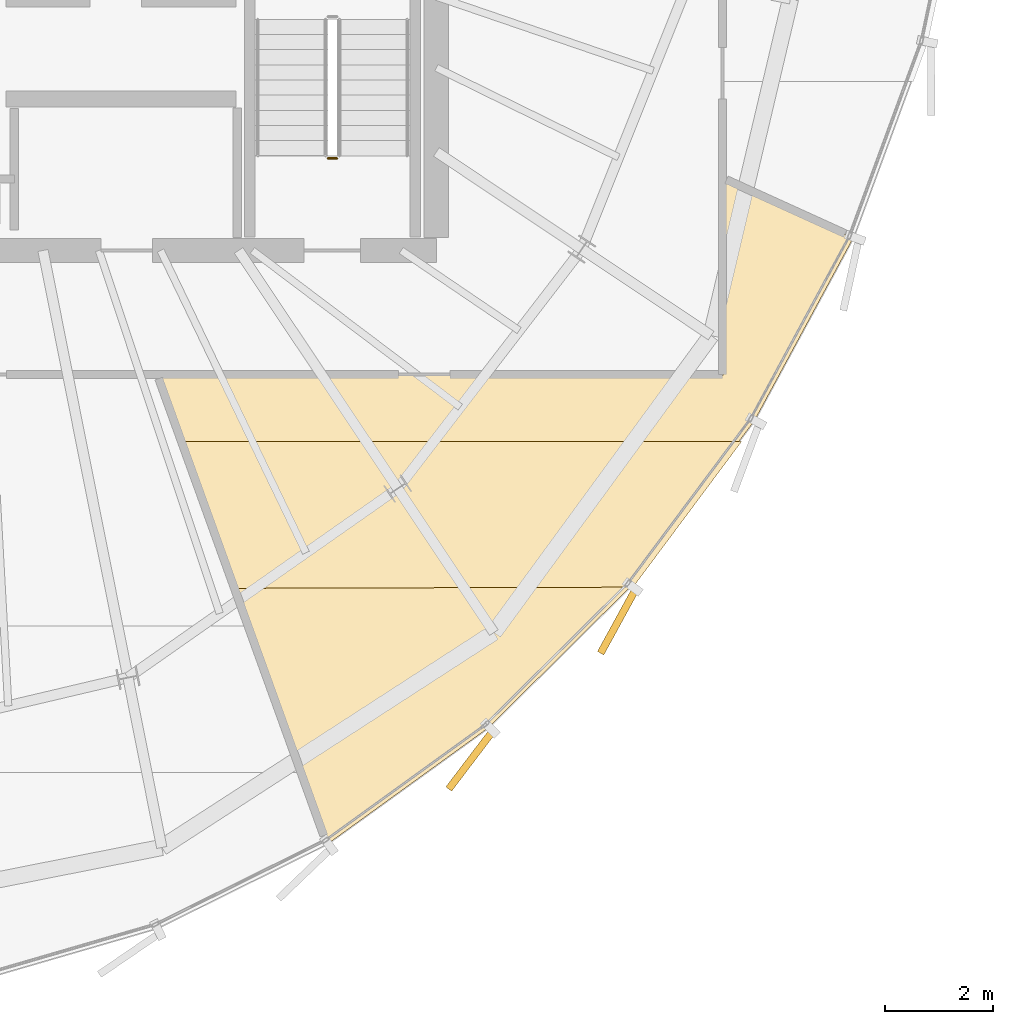
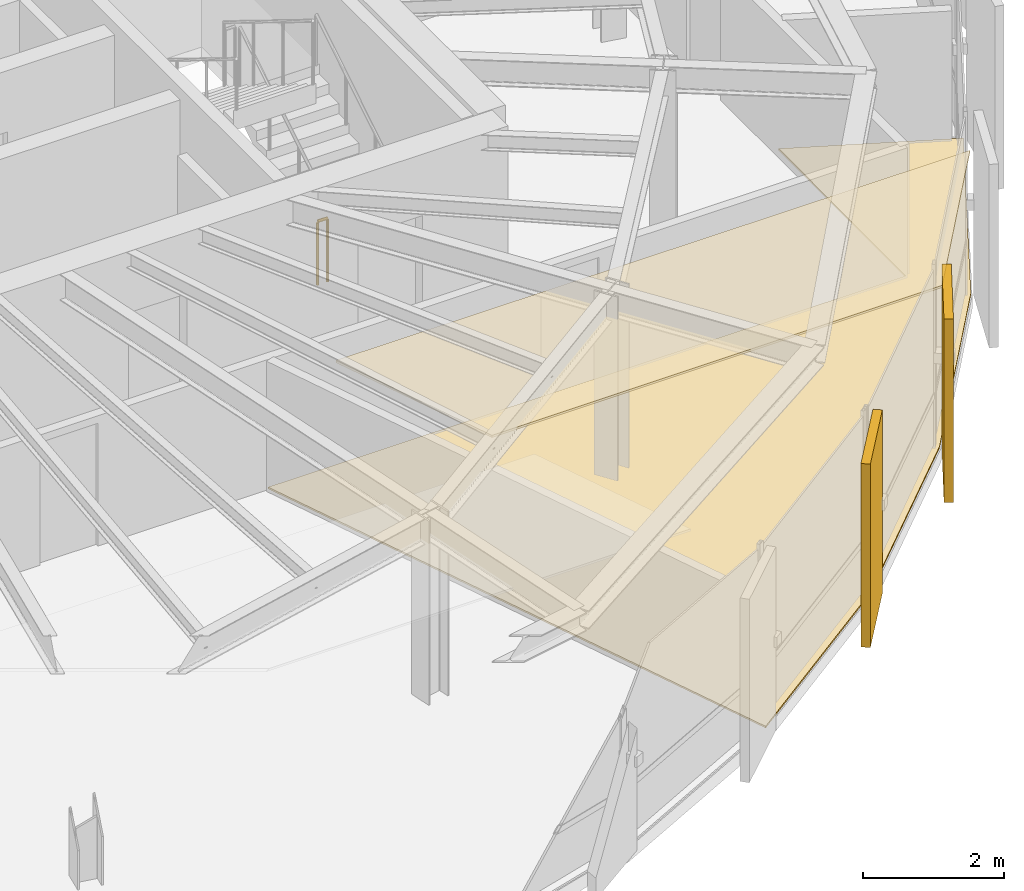
# One storey, part 28 of 30: 4 coverings, 1 railing.
"""IFC4 building model written with IfcOpenShell, lengths in metres."""

from ifc_helpers import new_model, si_unit, direction, frame, origin, origin_2d, place, context, subcontext, project, spatial, polyline, rectangle, circle, outline, extrude, source, transform, mapped, material, layer, layer_set, type_object, element, save


model = new_model("IFC4")

# Units and contexts
model_context = context("Model", 3, precision=1e-05, world=origin(), true_north=direction((0.0, 1.0)))
body_context = subcontext(model_context, "Body", "Model", "MODEL_VIEW")
ifc_project = project(units=[si_unit("LENGTHUNIT", "METRE"), si_unit("AREAUNIT", "SQUARE_METRE"), si_unit("VOLUMEUNIT", "CUBIC_METRE"), si_unit("PLANEANGLEUNIT", "RADIAN"), si_unit("MASSUNIT", "GRAM", prefix="KILO"), si_unit("THERMODYNAMICTEMPERATUREUNIT", "KELVIN")], contexts=[model_context])

# Site, building, storey
site_placement = place(None, origin())
site = spatial("IfcSite", under=ifc_project, at=site_placement, CompositionType="ELEMENT")
building_placement = place(site_placement, origin())
building = spatial("IfcBuilding", under=site, at=building_placement, Name="Kethvar Cultural Tower", CompositionType="ELEMENT")
storey_placement = place(building_placement, frame((0.0, 0.0, 297.39990234375)))
storey = spatial("IfcBuildingStorey", under=building, at=storey_placement, Name="L79", CompositionType="ELEMENT", Elevation=297.39990234375)

# Coverings
ifc_material_1 = material(Name="Acoustic Mineral Fibre Ceiling")
ifc_layer_1 = layer(ifc_material_1, 0.0400390625, Name="Acoustic Mineral Fibre Ceiling")
ifc_layer_set_1 = layer_set([ifc_layer_1], Name="Acoustic Mineral Fibre Ceiling (40 mm)")
covering_type_1 = type_object("IfcCoveringType", Name="CV-ACOUSTIC-CEIL", PredefinedType="CEILING", material=ifc_layer_set_1)
covering_1_placement = place(storey_placement, frame((0.0, 0.0, 2.780029296875)))
element("IfcCovering", 1, at=covering_1_placement, inside=storey, type_object=covering_type_1, Name="L79 Room 03 Acoustic Ceiling Panel", PredefinedType="CEILING", context=body_context, shape_type="SweptSolid", body=[
    extrude(outline(polyline([(59.235107421875, 13.878173828125), (51.86279296875, 13.856201171875), (50.874755859375, 16.56640625), (61.238037109375, 16.56640625), (59.235107421875, 13.878173828125)])), origin(), (0.0, 0.0, 1.0), 0.0400390625),
])
ifc_material_2 = material(Name="Honed Warm Limestone", Category="masonry")
ifc_layer_2 = layer(ifc_material_2, 0.030029296875, Name="Honed Warm Limestone", Category="masonry")
ifc_layer_set_2 = layer_set([ifc_layer_2], Name="Honed Warm Limestone (30 mm)")
covering_type_2 = type_object("IfcCoveringType", Name="CV-STONE-FLOOR", PredefinedType="FLOORING", material=ifc_layer_set_2)
covering_2_placement = place(storey_placement, origin())
element("IfcCovering", 2, at=covering_2_placement, inside=storey, type_object=covering_type_2, Name="L79 Room 03 Floor Finish", PredefinedType="FLOORING", context=body_context, shape_type="SweptSolid", body=[
    extrude(outline(polyline([(61.48095703125, 16.959228515625), (59.2041015625, 13.9033203125), (56.550048828125, 11.269775390625), (53.6201171875, 9.1533203125), (50.47216796875, 17.787109375), (60.893798828125, 17.787841796875), (60.907958984375, 21.408203125), (63.302001953125, 20.3271484375), (61.48095703125, 16.959228515625)])), origin(), (0.0, 0.0, 1.0), 0.030029296875),
])

# Railing
ifc_material_3 = material(Name="Steel S355J2", Category="steel")
railing_type = type_object("IfcRailingType", Name="RL-STAIR-GUARD", PredefinedType="BALUSTRADE", material=ifc_material_3)
railing_placement = place(storey_placement, frame((53.760009765625, 21.800048828125, 0.0)))
element("IfcRailing", 3, at=railing_placement, inside=storey, type_object=railing_type, Name="L79 ST-02 stair guard 4", PredefinedType="BALUSTRADE", context=body_context, shape_type="SweptSolid", body=[
    extrude(circle(Radius=0.02392578125, at=origin_2d()), frame((0.0, 0.0, 1.09619140625), z_axis=(-1.0, 0.0, 0.0), x_axis=(0.0, -1.0, 0.0)), (0.0, 0.0, 1.0), 0.159912109375),
    extrude(circle(Radius=0.02099609375, at=origin_2d()), origin(), (0.0, 0.0, 1.0), 1.072021484375),
    extrude(circle(Radius=0.02099609375, at=origin_2d()), frame((-0.159912109375, 0.0, 0.0)), (0.0, 0.0, 1.0), 1.072021484375),
])

# Coverings
ifc_material_4 = material(Name="Extruded Architectural Terracotta", Category="masonry")
ifc_layer_3 = layer(ifc_material_4, 0.135009765625, Name="Extruded Architectural Terracotta", Category="masonry")
ifc_layer_set_3 = layer_set([ifc_layer_3], Name="Extruded Architectural Terracotta (135 mm)")
covering_type_3 = type_object("IfcCoveringType", Name="Terracotta Facade Fin FIN-03", PredefinedType="CLADDING", material=ifc_layer_set_3)
shared_shape = source(origin(), body_context, "Body", "SweptSolid", [
    extrude(rectangle(XDim=1.35009765625, YDim=0.135009765625, at=origin_2d()), origin(), (0.0, 0.0, 1.0), 3.169921875),
])
for number, where, z_axis, x_axis, name in (
    (4, (56.236572265625, 10.685302734375, 0.02001953125), (0.0, 0.0, 1.0), (-0.604877119416, -0.796318824597, 0.0), "L79 Vertical Terracotta Fin 5.1"),
    (5, (58.959228515625, 13.25, 0.02001953125), (0.0, 0.0, 1.0), (-0.480070399244, -0.877229965157, 0.0), "L79 Vertical Terracotta Fin 5.2"),
):
    element("IfcCovering", number, at=place(storey_placement, frame(where, z_axis=z_axis, x_axis=x_axis)), inside=storey, type_object=covering_type_3, Name=name, PredefinedType="CLADDING", context=body_context, shape_type="MappedRepresentation", body=[
        mapped(shared_shape, transform((0.0, 0.0, 0.0), scale=1.0)),
    ])

save(model, "model.ifc")
